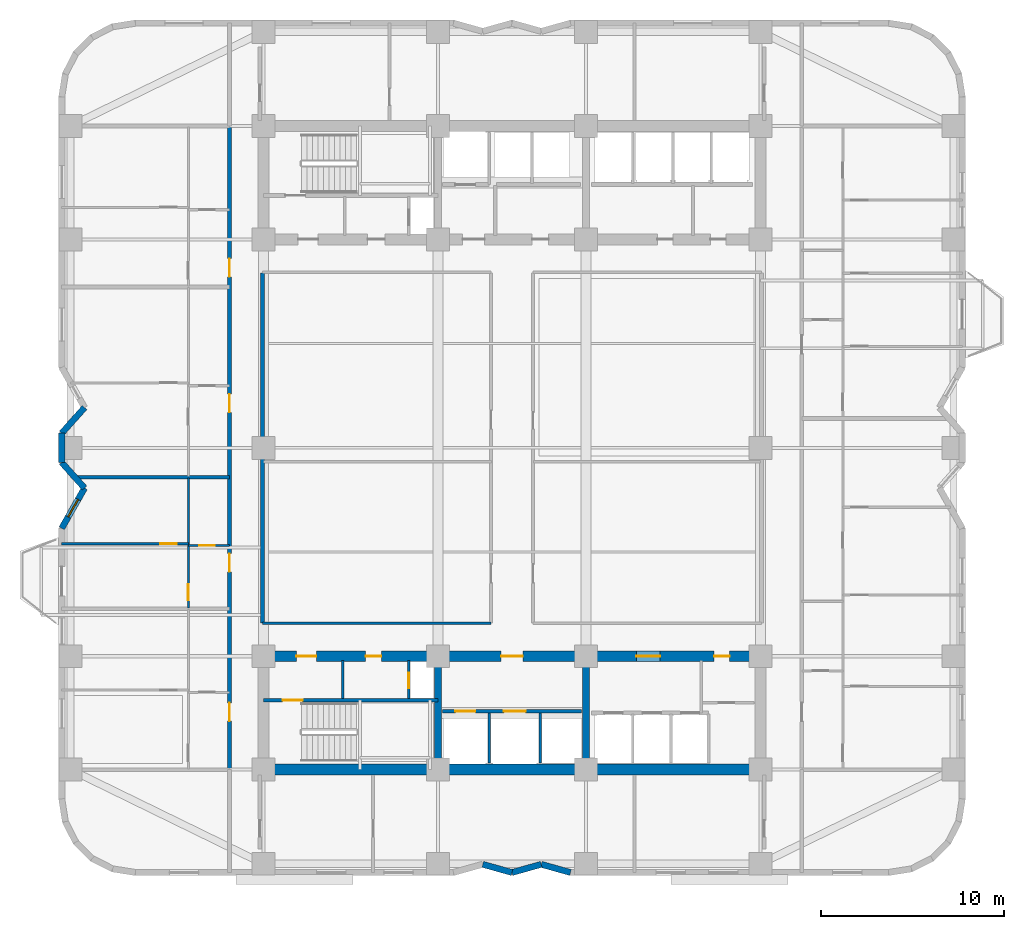
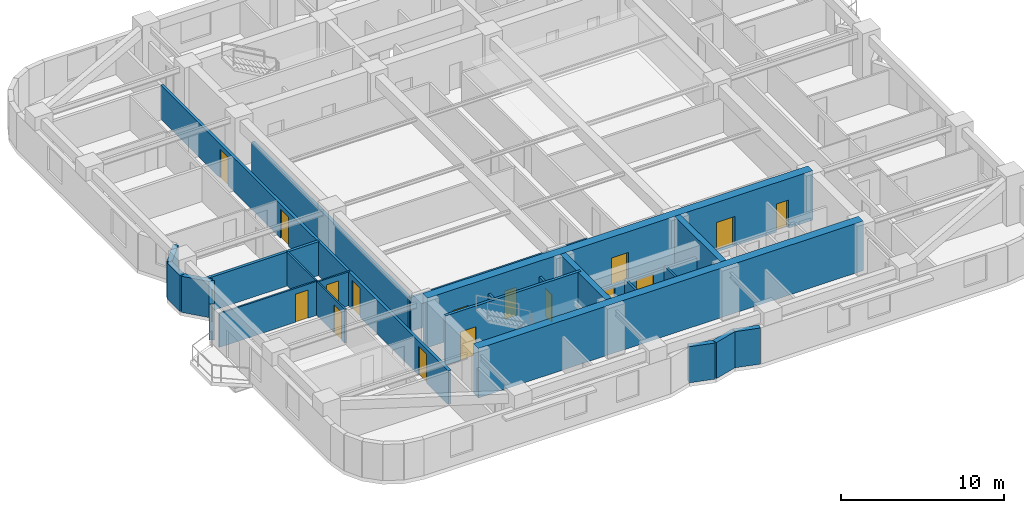
# One storey, part 3 of 9: 24 walls, 16 doors, 1 window, 17 openings.
"""IFC4 building model written with IfcOpenShell, lengths in metres."""

import ifcopenshell
import ifcopenshell.guid

model = None  # the IFC model being written
_history = None  # IfcOwnerHistory: only IFC2X3 demands one
_inside = {}  # id of a spatial element -> (the spatial element, [elements in it])
_under = {}  # id of a project, library or spatial element -> (it, [spatial elements below it])
_declared = {}  # id of a project -> (the project, [libraries it declares])
_typed = {}  # id of a type object -> (the type object, [elements of that type])
_made_of = {}  # id of a material, layer set ... -> (it, [elements and type objects made of it])


def new_model(schema):
    """Start an empty IFC model of exactly this schema.

    Asked for "IFC4X3", IfcOpenShell would pick the latest addendum, in which some entities
    have other attributes; the version numbers below select the first issue.
    IFC2X3 requires an IfcOwnerHistory on every rooted entity: one is made here for all.
    """
    global model, _history
    if schema == "IFC4X3":
        model = ifcopenshell.file(schema_version=(4, 3, 0, 0))
    else:
        model = ifcopenshell.file(schema=schema)
    _inside.clear()
    _under.clear()
    _declared.clear()
    _typed.clear()
    _made_of.clear()
    _history = None
    if model.schema == "IFC2X3":
        org = make("IfcOrganization", Name="unknown")
        user = make(
            "IfcPersonAndOrganization",
            ThePerson=make("IfcPerson", FamilyName="unknown"),
            TheOrganization=org,
        )
        app = make(
            "IfcApplication",
            ApplicationDeveloper=org,
            Version="unknown",
            ApplicationFullName="unknown",
            ApplicationIdentifier="unknown",
        )
        _history = make(
            "IfcOwnerHistory",
            OwningUser=user,
            OwningApplication=app,
            ChangeAction="ADDED",
            CreationDate=0,
        )
    return model


def make(cls, **values):
    """One entity of the class cls with the attributes given. An attribute that is None is left unset."""
    return model.create_entity(
        cls, **{name: value for name, value in values.items() if value is not None}
    )


def rooted(cls, **values):
    """An entity with a GlobalId (a new one), such as an element, a storey or a relation."""
    return make(cls, GlobalId=ifcopenshell.guid.new(), OwnerHistory=_history, **values)


def si_unit(unit_type, name, prefix=None):
    """IfcSIUnit, for example si_unit("LENGTHUNIT", "METRE", prefix="MILLI")."""
    return make("IfcSIUnit", UnitType=unit_type, Prefix=prefix, Name=name)


def assignment(units):
    """IfcUnitAssignment: the units of a project."""
    return None if units is None else make("IfcUnitAssignment", Units=units)


def point(xyz):
    """IfcCartesianPoint."""
    return None if xyz is None else make("IfcCartesianPoint", Coordinates=xyz)


def direction(xyz):
    """IfcDirection."""
    return None if xyz is None else make("IfcDirection", DirectionRatios=xyz)


def frame(location, z_axis=None, x_axis=None):
    """IfcAxis2Placement3D, a coordinate frame: its origin and axes. An axis left out is left unset."""
    return make(
        "IfcAxis2Placement3D",
        Location=point(location),
        Axis=direction(z_axis),
        RefDirection=direction(x_axis),
    )


def frame_2d(location, x_axis=None):
    """IfcAxis2Placement2D, a coordinate frame in the plane: its origin and x axis."""
    return make(
        "IfcAxis2Placement2D", Location=point(location), RefDirection=direction(x_axis)
    )


def origin():
    """The frame at (0, 0, 0) with its axes left unset."""
    return frame((0.0, 0.0, 0.0))


def place(relative_to, where):
    """IfcLocalPlacement: puts the frame where relative to a parent placement (None: the world)."""
    return make(
        "IfcLocalPlacement", PlacementRelTo=relative_to, RelativePlacement=where
    )


def context(
    kind, dimensions, precision=None, world=None, true_north=None, identifier=None
):
    """IfcGeometricRepresentationContext, for example the 3D "Model" context."""
    return make(
        "IfcGeometricRepresentationContext",
        ContextIdentifier=identifier,
        ContextType=kind,
        CoordinateSpaceDimension=dimensions,
        Precision=precision,
        WorldCoordinateSystem=world,
        TrueNorth=true_north,
    )


def subcontext(parent, identifier, kind, view, scale=None):
    """IfcGeometricRepresentationSubContext, for example "Body" below "Model"."""
    return make(
        "IfcGeometricRepresentationSubContext",
        ContextIdentifier=identifier,
        ContextType=kind,
        ParentContext=parent,
        TargetScale=scale,
        TargetView=view,
    )


def project(units=None, contexts=None):
    """IfcProject with its units and contexts."""
    return rooted(
        "IfcProject",
        Name="project",
        RepresentationContexts=contexts,
        UnitsInContext=assignment(units),
    )


def spatial(cls, under=None, at=None, **own):
    """A site, building, storey or space (cls), placed at a placement, below another one or the project."""
    s = rooted(cls, ObjectPlacement=at, **own)
    if under is not None:
        _under.setdefault(under.id(), (under, []))[1].append(s)
    return s


def profile(cls, at=None, kind="AREA", **sizes):
    """A parametric profile (cls). Its sizes go by their IFC names, for example OverallWidth=200.0."""
    return make(cls, ProfileType=kind, Position=at, **sizes)


def rectangle(**sizes):
    """IfcRectangleProfileDef."""
    return profile("IfcRectangleProfileDef", **sizes)


def extrude(swept, where, along, depth):
    """IfcExtrudedAreaSolid: the profile swept, set in the frame where, extruded along a direction by depth."""
    return make(
        "IfcExtrudedAreaSolid",
        SweptArea=swept,
        Position=where,
        ExtrudedDirection=direction(along),
        Depth=depth,
    )


def shape(context_of_items, identifier, shape_type, items):
    """IfcShapeRepresentation: the items that make up one representation, for example the "Body"."""
    return make(
        "IfcShapeRepresentation",
        ContextOfItems=context_of_items,
        RepresentationIdentifier=identifier,
        RepresentationType=shape_type,
        Items=items,
    )


def material(Name=None, Category=None):
    """IfcMaterial."""
    return make("IfcMaterial", Name=Name, Category=Category)


def layer(
    of_material, thickness, ventilated=None, Name=None, Category=None, Priority=None
):
    """IfcMaterialLayer: one layer of a wall or slab, of a material (None: an air gap)."""
    return make(
        "IfcMaterialLayer",
        Material=of_material,
        LayerThickness=thickness,
        IsVentilated=ventilated,
        Name=Name,
        Category=Category,
        Priority=Priority,
    )


def layer_set(layers, Name=None):
    """IfcMaterialLayerSet."""
    return make("IfcMaterialLayerSet", MaterialLayers=layers, LayerSetName=Name)


def made_of(thing, what):
    """Note that an element or type object is made of a material, layer set ...; save() writes the relation."""
    if what is not None:
        _made_of.setdefault(what.id(), (what, []))[1].append(thing)
    return thing


def type_object(cls, material=None, **own):
    """A type object (cls), such as IfcWallType, which elements share."""
    return made_of(rooted(cls, **own), material)


def element(
    cls,
    number,
    at=None,
    inside=None,
    cuts=None,
    type_object=None,
    material=None,
    context=None,
    identifier="Body",
    shape_type=None,
    held_by="IfcProductDefinitionShape",
    body=None,
    shapes=None,
    **own,
):
    """One element of the class cls, such as IfcWall. Its Tag is "e" and its number.

    at: its placement. inside: the storey or other place that contains it. cuts: it is an
    opening in that element (IfcRelVoidsElement). A single representation is given by context,
    identifier, shape_type and body (its items); several are given by shapes. held_by: the class
    of the entity that holds the representations. save() writes the other relations.
    """
    e = rooted(cls, Tag="e%d" % number, ObjectPlacement=at, **own)
    if body is not None:
        shapes = [shape(context, identifier, shape_type, body)]
    if shapes is not None:
        e.Representation = make(held_by, Representations=shapes)
    if inside is not None:
        _inside.setdefault(inside.id(), (inside, []))[1].append(e)
    if cuts is not None:
        rooted(
            "IfcRelVoidsElement", RelatingBuildingElement=cuts, RelatedOpeningElement=e
        )
    if type_object is not None:
        _typed.setdefault(type_object.id(), (type_object, []))[1].append(e)
    return made_of(e, material)


def fill(opening, filler):
    """IfcRelFillsElement: the door or window that sits in an opening."""
    return rooted(
        "IfcRelFillsElement",
        RelatingOpeningElement=opening,
        RelatedBuildingElement=filler,
    )


def aggregate(whole, parts):
    """IfcRelAggregates: a whole, such as a stair, and the parts it consists of."""
    return rooted("IfcRelAggregates", RelatingObject=whole, RelatedObjects=parts)


def save(model, path):
    """Write the relations noted so far, then the file.

    IfcRelAggregates (storeys below a building ...), IfcRelContainedInSpatialStructure (elements
    in a storey), IfcRelDefinesByType, IfcRelAssociatesMaterial and IfcRelDeclares: one each for
    every whole, place, type object, material and project.
    """
    for whole, parts in _under.values():
        aggregate(whole, parts)
    for where, things in _inside.values():
        rooted(
            "IfcRelContainedInSpatialStructure",
            RelatedElements=things,
            RelatingStructure=where,
        )
    for kind, things in _typed.values():
        rooted("IfcRelDefinesByType", RelatedObjects=things, RelatingType=kind)
    for what, things in _made_of.values():
        rooted("IfcRelAssociatesMaterial", RelatedObjects=things, RelatingMaterial=what)
    for by, libraries in _declared.values():
        rooted("IfcRelDeclares", RelatingContext=by, RelatedDefinitions=libraries)
    model.write(path)


model = new_model("IFC4")

# Units and contexts
model_context = context("Model", 3, precision=1e-05, world=origin(), true_north=direction((0.0, 1.0)))
body_context = subcontext(model_context, "Body", "Model", "MODEL_VIEW")
ifc_project = project(units=[si_unit("LENGTHUNIT", "METRE"), si_unit("AREAUNIT", "SQUARE_METRE"), si_unit("VOLUMEUNIT", "CUBIC_METRE"), si_unit("PLANEANGLEUNIT", "RADIAN"), si_unit("MASSUNIT", "GRAM", prefix="KILO")], contexts=[model_context])

# Site, building, storey
site_placement = place(None, origin())
site = spatial("IfcSite", under=ifc_project, at=site_placement, CompositionType="ELEMENT")
building_placement = place(site_placement, origin())
building = spatial("IfcBuilding", under=site, at=building_placement, Name="Svetorya Sky Lyceum", CompositionType="ELEMENT")
storey_placement = place(building_placement, frame((0.0, 0.0, 47.300048828125)))
storey = spatial("IfcBuildingStorey", under=building, at=storey_placement, Name="L11", CompositionType="ELEMENT", Elevation=47.300048828125)

# Walls
ifc_material_1 = material(Name="Concrete C40/50", Category="concrete")
ifc_layer_1 = layer(ifc_material_1, 0.39990234375)
ifc_layer_set_1 = layer_set([ifc_layer_1], Name="Concrete C40/50")
wall_type_1 = type_object("IfcWallType", Name="WL-CORE-400", PredefinedType="SHEAR", material=ifc_layer_set_1)
for number, where, z_axis, x_axis, name in (
    (1, (35.14990234375, 10.89990234375, 0.0), (0.0, 0.0, 1.0), (0.0, 1.0, 0.0), "L11 SC Internal Shear Web WEB1"),
    (2, (43.25, 10.89990234375, 0.0), (0.0, 0.0, 1.0), (0.0, 1.0, 0.0), "L11 SC Internal Shear Web WEB2"),
):
    element("IfcWall", number, at=place(storey_placement, frame(where, z_axis=z_axis, x_axis=x_axis)), inside=storey, type_object=wall_type_1, Name=name, PredefinedType="SHEAR", context=body_context, shape_type="SweptSolid", body=[
        extrude(rectangle(XDim=5.60009765625, YDim=0.39990234375, at=frame_2d((2.800048828125, 0.0))), origin(), (0.0, 0.0, 1.0), 3.699951171875),
    ])
ifc_material_2 = material(Name="Concrete C60/75", Category="concrete")
ifc_layer_2 = layer(ifc_material_2, 0.60009765625)
ifc_layer_set_2 = layer_set([ifc_layer_2], Name="Concrete C60/75")
wall_type_2 = type_object("IfcWallType", Name="WL-CORE-600", PredefinedType="SHEAR", material=ifc_layer_set_2)
wall_1_placement = place(storey_placement, frame((52.800048828125, 10.60009765625, 0.0), z_axis=(0.0, 0.0, 1.0), x_axis=(-1.0, 0.0, 0.0)))
element("IfcWall", 3, at=wall_1_placement, inside=storey, type_object=wall_type_2, Name="L11 SC Outer Core Shear Wall", PredefinedType="SHEAR", context=body_context, shape_type="SweptSolid", body=[
    extrude(rectangle(XDim=27.199951171875, YDim=0.60009765625, at=frame_2d((13.60009765625, 0.0))), origin(), (0.0, 0.0, 1.0), 3.699951171875),
])

# Wall, openings, doors
wall_2_placement = place(storey_placement, frame((25.60009765625, 16.800048828125, 0.0), z_axis=(0.0, 0.0, 1.0), x_axis=(1.0, 0.0, 0.0)))
wall_2 = element("IfcWall", 4, at=wall_2_placement, inside=storey, type_object=wall_type_2, Name="L11 SC Inner Core Shear Wall", PredefinedType="SHEAR", context=body_context, shape_type="SweptSolid", body=[
    extrude(rectangle(XDim=27.199951171875, YDim=0.60009765625, at=frame_2d((13.60009765625, 0.0))), origin(), (0.0, 0.0, 1.0), 3.699951171875),
])
opening_1_placement = place(wall_2_placement, frame((1.800048828125, 0.0, 0.0)))
opening_1 = element("IfcOpeningElement", 5, at=opening_1_placement, cuts=wall_2, Name="Opening D-ST1", PredefinedType="OPENING", context=body_context, shape_type="SweptSolid", body=[
    extrude(rectangle(XDim=1.10009765625, YDim=2.14990234375, at=frame_2d((0.550048828125, 1.074951171875))), frame((0.0, 0.31005859375, 0.0), z_axis=(0.0, -1.0, 0.0), x_axis=(1.0, 0.0, 0.0)), (0.0, 0.0, 1.0), 0.6201171875),
])
opening_2_placement = place(wall_2_placement, frame((5.60009765625, 0.0, 0.0)))
opening_2 = element("IfcOpeningElement", 6, at=opening_2_placement, cuts=wall_2, Name="Opening D-CWC1", PredefinedType="OPENING", context=body_context, shape_type="SweptSolid", body=[
    extrude(rectangle(XDim=0.85009765625, YDim=2.10009765625, at=frame_2d((0.425048828125, 1.050048828125))), frame((0.0, 0.31005859375, 0.0), z_axis=(0.0, -1.0, 0.0), x_axis=(1.0, 0.0, 0.0)), (0.0, 0.0, 1.0), 0.6201171875),
])
opening_3_placement = place(wall_2_placement, frame((13.0, 0.0, 0.0)))
opening_3 = element("IfcOpeningElement", 7, at=opening_3_placement, cuts=wall_2, Name="Opening D-FL1", PredefinedType="OPENING", context=body_context, shape_type="SweptSolid", body=[
    extrude(rectangle(XDim=1.199951171875, YDim=2.14990234375, at=frame_2d((0.60009765625, 1.074951171875))), frame((0.0, 0.31005859375, 0.0), z_axis=(0.0, -1.0, 0.0), x_axis=(1.0, 0.0, 0.0)), (0.0, 0.0, 1.0), 0.6201171875),
])
opening_4_placement = place(wall_2_placement, frame((20.39990234375, 0.0, 0.0)))
opening_4 = element("IfcOpeningElement", 8, at=opening_4_placement, cuts=wall_2, Name="Opening D-LB1", PredefinedType="OPENING", context=body_context, shape_type="SweptSolid", body=[
    extrude(rectangle(XDim=1.300048828125, YDim=2.199951171875, at=frame_2d((0.64990234375, 1.10009765625))), frame((0.0, 0.31005859375, 0.0), z_axis=(0.0, -1.0, 0.0), x_axis=(1.0, 0.0, 0.0)), (0.0, 0.0, 1.0), 0.6201171875),
])
opening_5_placement = place(wall_2_placement, frame((24.64990234375, 0.0, 0.0)))
opening_5 = element("IfcOpeningElement", 9, at=opening_5_placement, cuts=wall_2, Name="Opening D-CWC1", PredefinedType="OPENING", context=body_context, shape_type="SweptSolid", body=[
    extrude(rectangle(XDim=0.85009765625, YDim=2.10009765625, at=frame_2d((0.425048828125, 1.050048828125))), frame((0.0, 0.31005859375, 0.0), z_axis=(0.0, -1.0, 0.0), x_axis=(1.0, 0.0, 0.0)), (0.0, 0.0, 1.0), 0.6201171875),
])
ifc_material_3 = material(Name="Fire-rated galvanized steel core service closet door", Category="steel")
door_type_1 = type_object("IfcDoorType", Name="DR-CWET-850", OperationType="SINGLE_SWING_LEFT", PredefinedType="DOOR", material=ifc_material_3)
door_1_placement = place(opening_2_placement, origin())
door_1 = element("IfcDoor", 10, at=door_1_placement, inside=storey, type_object=door_type_1, Name="L11 South Hydrant Room Door", OperationType="SINGLE_SWING_LEFT", OverallHeight=2.10009765625, OverallWidth=0.85009765625, PredefinedType="DOOR", context=body_context, shape_type="SweptSolid", body=[
    extrude(rectangle(XDim=0.85009765625, YDim=2.10009765625, at=frame_2d((0.425048828125, 1.050048828125))), frame((0.0, 0.02490234375, 0.0), z_axis=(0.0, -1.0, 0.0), x_axis=(1.0, 0.0, 0.0)), (0.0, 0.0, 1.0), 0.050048828125),
])
fill(opening_2, door_1)
door_2_placement = place(opening_5_placement, origin())
door_2 = element("IfcDoor", 11, at=door_2_placement, inside=storey, type_object=door_type_1, Name="L11 South Core Auxiliary Door", OperationType="SINGLE_SWING_LEFT", OverallHeight=2.10009765625, OverallWidth=0.85009765625, PredefinedType="DOOR", context=body_context, shape_type="SweptSolid", body=[
    extrude(rectangle(XDim=0.85009765625, YDim=2.10009765625, at=frame_2d((0.425048828125, 1.050048828125))), frame((0.0, 0.02490234375, 0.0), z_axis=(0.0, -1.0, 0.0), x_axis=(1.0, 0.0, 0.0)), (0.0, 0.0, 1.0), 0.050048828125),
])
fill(opening_5, door_2)
ifc_material_4 = material(Name="Powder-coated insulated galvanized stair fire door")
door_type_2 = type_object("IfcDoorType", Name="DR-FIRE-1100", OperationType="SINGLE_SWING_LEFT", PredefinedType="DOOR", material=ifc_material_4)
door_3_placement = place(opening_1_placement, origin())
door_3 = element("IfcDoor", 12, at=door_3_placement, inside=storey, type_object=door_type_2, Name="L11 South Stair Airlock Door", OperationType="SINGLE_SWING_RIGHT", OverallHeight=2.14990234375, OverallWidth=1.10009765625, PredefinedType="DOOR", context=body_context, shape_type="SweptSolid", body=[
    extrude(rectangle(XDim=1.10009765625, YDim=2.14990234375, at=frame_2d((0.550048828125, 1.074951171875))), frame((0.0, 0.02490234375, 0.0), z_axis=(0.0, -1.0, 0.0), x_axis=(1.0, 0.0, 0.0)), (0.0, 0.0, 1.0), 0.050048828125),
])
fill(opening_1, door_3)
ifc_material_5 = material(Name="Powder-coated insulated galvanized fire door")
door_type_3 = type_object("IfcDoorType", Name="DR-FIRE-1200", OperationType="SINGLE_SWING_LEFT", PredefinedType="DOOR", material=ifc_material_5)
door_4_placement = place(opening_3_placement, origin())
door_4 = element("IfcDoor", 13, at=door_4_placement, inside=storey, type_object=door_type_3, Name="L11 South Firefighting Lift Lobby Door", OperationType="SINGLE_SWING_LEFT", OverallHeight=2.14990234375, OverallWidth=1.199951171875, PredefinedType="DOOR", context=body_context, shape_type="SweptSolid", body=[
    extrude(rectangle(XDim=1.199951171875, YDim=2.14990234375, at=frame_2d((0.60009765625, 1.074951171875))), frame((0.0, 0.02490234375, 0.0), z_axis=(0.0, -1.0, 0.0), x_axis=(1.0, 0.0, 0.0)), (0.0, 0.0, 1.0), 0.050048828125),
])
fill(opening_3, door_4)
ifc_material_6 = material(Name="Glazed fire-rated aluminium lobby door", Category="aluminium")
door_type_4 = type_object("IfcDoorType", Name="DR-LOB-1300", OperationType="SINGLE_SWING_LEFT", PredefinedType="DOOR", material=ifc_material_6)
door_5_placement = place(opening_4_placement, origin())
door_5 = element("IfcDoor", 14, at=door_5_placement, inside=storey, type_object=door_type_4, Name="L11 Low-Rise Lift Lobby Door", OperationType="SINGLE_SWING_RIGHT", OverallHeight=2.199951171875, OverallWidth=1.300048828125, PredefinedType="DOOR", context=body_context, shape_type="SweptSolid", body=[
    extrude(rectangle(XDim=1.300048828125, YDim=2.199951171875, at=frame_2d((0.64990234375, 1.10009765625))), frame((0.0, 0.02490234375, 0.0), z_axis=(0.0, -1.0, 0.0), x_axis=(1.0, 0.0, 0.0)), (0.0, 0.0, 1.0), 0.050048828125),
])
fill(opening_4, door_5)

# Walls
ifc_material_7 = material(Name="Putilovo limestone rainscreen on autoclaved cellular masonry", Category="masonry")
ifc_layer_3 = layer(ifc_material_7, 0.340087890625)
ifc_layer_set_3 = layer_set([ifc_layer_3], Name="Putilovo limestone rainscreen on autoclaved cellular masonry")
wall_type_3 = type_object("IfcWallType", Name="WL-EXT-340", PredefinedType="SOLIDWALL", material=ifc_layer_set_3)
wall_3_placement = place(storey_placement, frame((37.60009765625, 5.419921875, 0.0), z_axis=(0.0, 0.0, 1.0), x_axis=(0.962652136636, -0.270741322725, 0.0)))
element("IfcWall", 15, at=wall_3_placement, inside=storey, type_object=wall_type_3, Name="L11 Limestone Exterior Wall 8M", PredefinedType="SOLIDWALL", context=body_context, shape_type="SweptSolid", body=[
    extrude(rectangle(XDim=1.661865234375, YDim=0.340087890625, at=frame_2d((0.8310546875, 0.0))), origin(), (0.0, 0.0, 1.0), 2.699951171875),
])
wall_4_placement = place(storey_placement, frame((39.199951171875, 4.969970703125, 0.0), z_axis=(0.0, 0.0, 1.0), x_axis=(0.962662902433, 0.270703040766, 0.0)))
element("IfcWall", 16, at=wall_4_placement, inside=storey, type_object=wall_type_3, Name="L11 Limestone Exterior Wall 9M", PredefinedType="SOLIDWALL", context=body_context, shape_type="SweptSolid", body=[
    extrude(rectangle(XDim=1.662109375, YDim=0.340087890625, at=frame_2d((0.8310546875, 0.0))), origin(), (0.0, 0.0, 1.0), 2.699951171875),
])
wall_5_placement = place(storey_placement, frame((40.800048828125, 5.419921875, 0.0), z_axis=(0.0, 0.0, 1.0), x_axis=(0.962652136636, -0.270741322725, 0.0)))
element("IfcWall", 17, at=wall_5_placement, inside=storey, type_object=wall_type_3, Name="L11 Limestone Exterior Wall 10M", PredefinedType="SOLIDWALL", context=body_context, shape_type="SweptSolid", body=[
    extrude(rectangle(XDim=1.661865234375, YDim=0.340087890625, at=frame_2d((0.8310546875, 0.0))), origin(), (0.0, 0.0, 1.0), 2.699951171875),
])
wall_6_placement = place(storey_placement, frame((15.820068359375, 30.39990234375, 0.0), z_axis=(0.0, 0.0, 1.0), x_axis=(-0.666041619974, -0.74591457987, 0.0)))
element("IfcWall", 18, at=wall_6_placement, inside=storey, type_object=wall_type_3, Name="L11 Limestone Exterior Wall 42M", PredefinedType="SOLIDWALL", context=body_context, shape_type="SweptSolid", body=[
    extrude(rectangle(XDim=1.876708984375, YDim=0.340087890625, at=frame_2d((0.9384765625, 0.0))), origin(), (0.0, 0.0, 1.0), 2.699951171875),
])
wall_7_placement = place(storey_placement, frame((14.570068359375, 29.0, 0.0), z_axis=(0.0, 0.0, 1.0), x_axis=(0.0, -1.0, 0.0)))
element("IfcWall", 19, at=wall_7_placement, inside=storey, type_object=wall_type_3, Name="L11 Limestone Exterior Wall 43M", PredefinedType="SOLIDWALL", context=body_context, shape_type="SweptSolid", body=[
    extrude(rectangle(XDim=1.60009765625, YDim=0.340087890625, at=frame_2d((0.800048828125, 0.0))), origin(), (0.0, 0.0, 1.0), 2.699951171875),
])
wall_8_placement = place(storey_placement, frame((14.570068359375, 27.39990234375, 0.0), z_axis=(0.0, 0.0, 1.0), x_axis=(0.666041619974, -0.74591457987, 0.0)))
element("IfcWall", 20, at=wall_8_placement, inside=storey, type_object=wall_type_3, Name="L11 Limestone Exterior Wall 44M", PredefinedType="SOLIDWALL", context=body_context, shape_type="SweptSolid", body=[
    extrude(rectangle(XDim=1.876708984375, YDim=0.340087890625, at=frame_2d((0.9384765625, 0.0))), origin(), (0.0, 0.0, 1.0), 2.699951171875),
])

# Wall, opening, window
wall_9_placement = place(storey_placement, frame((15.820068359375, 26.0, 0.0), z_axis=(0.0, 0.0, 1.0), x_axis=(-0.494017696272, -0.869451847873, 0.0)))
wall_9 = element("IfcWall", 21, at=wall_9_placement, inside=storey, type_object=wall_type_3, Name="L11 Limestone Exterior Wall 45M", PredefinedType="SOLIDWALL", context=body_context, shape_type="SweptSolid", body=[
    extrude(rectangle(XDim=2.5302734375, YDim=0.340087890625, at=frame_2d((1.26513671875, 0.0))), origin(), (0.0, 0.0, 1.0), 2.699951171875),
])
opening_6_placement = place(wall_9_placement, frame((0.715087890625, 0.0, 0.889892578125)))
opening_6 = element("IfcOpeningElement", 22, at=opening_6_placement, cuts=wall_9, Name="Opening W-R3", PredefinedType="OPENING", context=body_context, shape_type="SweptSolid", body=[
    extrude(rectangle(XDim=1.10009765625, YDim=1.64990234375, at=frame_2d((0.550048828125, 0.824951171875))), frame((0.0, 0.179931640625, 0.0), z_axis=(0.0, -1.0, 0.0), x_axis=(1.0, 0.0, 0.0)), (0.0, 0.0, 1.0), 0.360107421875),
])
ifc_material_8 = material(Name="Thermally broken aluminium frame with triple low-E glazing", Category="aluminium")
window_type = type_object("IfcWindowType", Name="WN-RES-110", PartitioningType="SINGLE_PANEL", PredefinedType="WINDOW", material=ifc_material_8)
window_placement = place(opening_6_placement, origin())
window = element("IfcWindow", 23, at=window_placement, inside=storey, type_object=window_type, Name="L11 Facade Window W-R3.45M.1", OverallHeight=1.64990234375, OverallWidth=1.10009765625, PartitioningType="SINGLE_PANEL", PredefinedType="WINDOW", context=body_context, shape_type="SweptSolid", body=[
    extrude(rectangle(XDim=1.10009765625, YDim=1.64990234375, at=frame_2d((0.550048828125, 0.824951171875))), frame((0.0, 0.030029296875, 0.0), z_axis=(0.0, -1.0, 0.0), x_axis=(1.0, 0.0, 0.0)), (0.0, 0.0, 1.0), 0.06005859375),
])
fill(opening_6, window)

# Wall, opening, door
ifc_material_9 = material(Name="Twin-stud galvanized framing with double fireboard", Category="gypsum")
ifc_layer_4 = layer(ifc_material_9, 0.1201171875)
ifc_layer_set_4 = layer_set([ifc_layer_4], Name="Twin-stud galvanized framing with double fireboard")
wall_type_4 = type_object("IfcWallType", Name="WL-PART-120", PredefinedType="PARTITIONING", material=ifc_layer_set_4)
wall_10_placement = place(storey_placement, frame((21.5, 22.860107421875, 0.0), z_axis=(0.0, 0.0, 1.0), x_axis=(1.0, 0.0, 0.0)))
wall_10 = element("IfcWall", 24, at=wall_10_placement, inside=storey, type_object=wall_type_4, Name="L11 Interior Partition W2-WH1", PredefinedType="PARTITIONING", context=body_context, shape_type="SweptSolid", body=[
    extrude(rectangle(XDim=2.25, YDim=0.1201171875, at=frame_2d((1.125, 0.0))), origin(), (0.0, 0.0, 1.0), 2.530029296875),
])
opening_7_placement = place(wall_10_placement, frame((0.60009765625, 0.0, 0.0)))
opening_7 = element("IfcOpeningElement", 25, at=opening_7_placement, cuts=wall_10, Name="Opening D-BT1", PredefinedType="OPENING", context=body_context, shape_type="SweptSolid", body=[
    extrude(rectangle(XDim=0.85009765625, YDim=2.10009765625, at=frame_2d((0.425048828125, 1.050048828125))), frame((0.0, 0.070068359375, 0.0), z_axis=(0.0, -1.0, 0.0), x_axis=(1.0, 0.0, 0.0)), (0.0, 0.0, 1.0), 0.14013671875),
])
ifc_material_10 = material(Name="Moisture-resistant laminate bathroom door")
door_type_5 = type_object("IfcDoorType", Name="DR-WET-850", OperationType="SINGLE_SWING_LEFT", PredefinedType="DOOR", material=ifc_material_10)
door_6_placement = place(opening_7_placement, origin())
door_6 = element("IfcDoor", 26, at=door_6_placement, inside=storey, type_object=door_type_5, Name="Apartment W2 Bathroom Door", OperationType="SINGLE_SWING_RIGHT", OverallHeight=2.10009765625, OverallWidth=0.85009765625, PredefinedType="DOOR", context=body_context, shape_type="SweptSolid", body=[
    extrude(rectangle(XDim=0.85009765625, YDim=2.10009765625, at=frame_2d((0.425048828125, 1.050048828125))), frame((0.0, 0.02490234375, 0.0), z_axis=(0.0, -1.0, 0.0), x_axis=(1.0, 0.0, 0.0)), (0.0, 0.0, 1.0), 0.050048828125),
])
fill(opening_7, door_6)

wall_11_placement = place(storey_placement, frame((14.570068359375, 22.949951171875, 0.0), z_axis=(0.0, 0.0, 1.0), x_axis=(1.0, 0.0, 0.0)))
wall_11 = element("IfcWall", 27, at=wall_11_placement, inside=storey, type_object=wall_type_4, Name="L11 Interior Partition W2-WL1", PredefinedType="PARTITIONING", context=body_context, shape_type="SweptSolid", body=[
    extrude(rectangle(XDim=6.929931640625, YDim=0.1201171875, at=frame_2d((3.46484375, 0.0))), origin(), (0.0, 0.0, 1.0), 2.530029296875),
])
opening_8_placement = place(wall_11_placement, frame((5.3798828125, 0.0, 0.0)))
opening_8 = element("IfcOpeningElement", 28, at=opening_8_placement, cuts=wall_11, Name="Opening D-RM1", PredefinedType="OPENING", context=body_context, shape_type="SweptSolid", body=[
    extrude(rectangle(XDim=0.89990234375, YDim=2.10009765625, at=frame_2d((0.449951171875, 1.050048828125))), frame((0.0, 0.070068359375, 0.0), z_axis=(0.0, -1.0, 0.0), x_axis=(1.0, 0.0, 0.0)), (0.0, 0.0, 1.0), 0.14013671875),
])
ifc_material_11 = material(Name="Lacquered birch veneer internal door")
door_type_6 = type_object("IfcDoorType", Name="DR-INT-900", OperationType="SINGLE_SWING_LEFT", PredefinedType="DOOR", material=ifc_material_11)
door_7_placement = place(opening_8_placement, origin())
door_7 = element("IfcDoor", 29, at=door_7_placement, inside=storey, type_object=door_type_6, Name="Apartment W2 Bedroom 1 Door", OperationType="SINGLE_SWING_RIGHT", OverallHeight=2.10009765625, OverallWidth=0.89990234375, PredefinedType="DOOR", context=body_context, shape_type="SweptSolid", body=[
    extrude(rectangle(XDim=0.89990234375, YDim=2.10009765625, at=frame_2d((0.449951171875, 1.050048828125))), frame((0.0, 0.02490234375, 0.0), z_axis=(0.0, -1.0, 0.0), x_axis=(1.0, 0.0, 0.0)), (0.0, 0.0, 1.0), 0.050048828125),
])
fill(opening_8, door_7)

wall_12_placement = place(storey_placement, frame((21.5, 19.43994140625, 0.0), z_axis=(0.0, 0.0, 1.0), x_axis=(0.0, 1.0, 0.0)))
wall_12 = element("IfcWall", 30, at=wall_12_placement, inside=storey, type_object=wall_type_4, Name="L11 Interior Partition W2-WV", PredefinedType="PARTITIONING", context=body_context, shape_type="SweptSolid", body=[
    extrude(rectangle(XDim=7.1201171875, YDim=0.1201171875, at=frame_2d((3.56005859375, 0.0))), origin(), (0.0, 0.0, 1.0), 2.530029296875),
])
opening_9_placement = place(wall_12_placement, frame((0.409912109375, 0.0, 0.0)))
opening_9 = element("IfcOpeningElement", 31, at=opening_9_placement, cuts=wall_12, Name="Opening D-RM1", PredefinedType="OPENING", context=body_context, shape_type="SweptSolid", body=[
    extrude(rectangle(XDim=0.89990234375, YDim=2.10009765625, at=frame_2d((0.449951171875, 1.050048828125))), frame((0.0, 0.070068359375, 0.0), z_axis=(0.0, -1.0, 0.0), x_axis=(1.0, 0.0, 0.0)), (0.0, 0.0, 1.0), 0.14013671875),
])
door_8_placement = place(opening_9_placement, origin())
door_8 = element("IfcDoor", 32, at=door_8_placement, inside=storey, type_object=door_type_6, Name="Apartment W2 Living Door", OperationType="SINGLE_SWING_LEFT", OverallHeight=2.10009765625, OverallWidth=0.89990234375, PredefinedType="DOOR", context=body_context, shape_type="SweptSolid", body=[
    extrude(rectangle(XDim=0.89990234375, YDim=2.10009765625, at=frame_2d((0.449951171875, 1.050048828125))), frame((0.0, 0.02490234375, 0.0), z_axis=(0.0, -1.0, 0.0), x_axis=(1.0, 0.0, 0.0)), (0.0, 0.0, 1.0), 0.050048828125),
])
fill(opening_9, door_8)

# Wall
ifc_material_12 = material(Name="Autoclaved cellular masonry blockwork with acoustic render", Category="masonry")
ifc_layer_5 = layer(ifc_material_12, 0.14990234375)
ifc_layer_set_5 = layer_set([ifc_layer_5], Name="Autoclaved cellular masonry blockwork with acoustic render")
wall_type_5 = type_object("IfcWallType", Name="WL-PART-150", PredefinedType="PARTITIONING", material=ifc_layer_set_5)
wall_13_placement = place(storey_placement, frame((29.949951171875, 14.5, 0.0), z_axis=(0.0, 0.0, 1.0), x_axis=(0.0, 1.0, 0.0)))
element("IfcWall", 33, at=wall_13_placement, inside=storey, type_object=wall_type_5, Name="L11 Interior Partition SC-SWD1", PredefinedType="PARTITIONING", context=body_context, shape_type="SweptSolid", body=[
    extrude(rectangle(XDim=2.080078125, YDim=0.14990234375, at=frame_2d((1.0400390625, 0.0))), origin(), (0.0, 0.0, 1.0), 2.530029296875),
])

# Wall, opening, door
wall_14_placement = place(storey_placement, frame((33.550048828125, 14.5, 0.0), z_axis=(0.0, 0.0, 1.0), x_axis=(0.0, 1.0, 0.0)))
wall_14 = element("IfcWall", 34, at=wall_14_placement, inside=storey, type_object=wall_type_5, Name="L11 Interior Partition SC-SWD2", PredefinedType="PARTITIONING", context=body_context, shape_type="SweptSolid", body=[
    extrude(rectangle(XDim=2.080078125, YDim=0.14990234375, at=frame_2d((1.0400390625, 0.0))), origin(), (0.0, 0.0, 1.0), 2.530029296875),
])
opening_10_placement = place(wall_14_placement, frame((0.550048828125, 0.0, 0.0)))
opening_10 = element("IfcOpeningElement", 35, at=opening_10_placement, cuts=wall_14, Name="Opening D-SH1", PredefinedType="OPENING", context=body_context, shape_type="SweptSolid", body=[
    extrude(rectangle(XDim=0.85009765625, YDim=2.050048828125, at=frame_2d((0.425048828125, 1.02490234375))), frame((0.0, 0.0849609375, 0.0), z_axis=(0.0, -1.0, 0.0), x_axis=(1.0, 0.0, 0.0)), (0.0, 0.0, 1.0), 0.169921875),
])
ifc_material_13 = material(Name="Insulated galvanized riser inspection fire door")
door_type_7 = type_object("IfcDoorType", Name="DR-SHFT-850", OperationType="SINGLE_SWING_LEFT", PredefinedType="TRAPDOOR", material=ifc_material_13)
door_9_placement = place(opening_10_placement, origin())
door_9 = element("IfcDoor", 36, at=door_9_placement, inside=storey, type_object=door_type_7, Name="L11 South Riser Access Door", OperationType="SINGLE_SWING_RIGHT", OverallHeight=2.050048828125, OverallWidth=0.85009765625, PredefinedType="TRAPDOOR", context=body_context, shape_type="SweptSolid", body=[
    extrude(rectangle(XDim=0.85009765625, YDim=2.050048828125, at=frame_2d((0.425048828125, 1.02490234375))), frame((0.0, 0.02490234375, 0.0), z_axis=(0.0, -1.0, 0.0), x_axis=(1.0, 0.0, 0.0)), (0.0, 0.0, 1.0), 0.050048828125),
])
fill(opening_10, door_9)

# Walls
for number, where, z_axis, x_axis, name in (
    (37, (37.949951171875, 10.949951171875, 0.0), (0.0, 0.0, 1.0), (0.0, 1.0, 0.0), "L11 Interior Partition SC-SHD1"),
    (38, (40.75, 10.949951171875, 0.0), (0.0, 0.0, 1.0), (0.0, 1.0, 0.0), "L11 Interior Partition SC-SHD2"),
):
    element("IfcWall", number, at=place(storey_placement, frame(where, z_axis=z_axis, x_axis=x_axis)), inside=storey, type_object=wall_type_5, Name=name, PredefinedType="PARTITIONING", context=body_context, shape_type="SweptSolid", body=[
        extrude(rectangle(XDim=2.75, YDim=0.14990234375, at=frame_2d((1.375, 0.0))), origin(), (0.0, 0.0, 1.0), 2.530029296875),
    ])
wall_15_placement = place(storey_placement, frame((25.550048828125, 18.60009765625, 0.0), z_axis=(0.0, 0.0, 1.0), x_axis=(1.0, 0.0, 0.0)))
element("IfcWall", 39, at=wall_15_placement, inside=storey, type_object=wall_type_5, Name="L11 Interior Partition CS-MID-W", PredefinedType="PARTITIONING", context=body_context, shape_type="SweptSolid", body=[
    extrude(rectangle(XDim=12.5, YDim=0.14990234375, at=frame_2d((6.25, 0.0))), origin(), (0.0, 0.0, 1.0), 2.530029296875),
])

# Wall, openings, doors
ifc_material_14 = material(Name="Autoclaved cellular masonry blockwork with gypsum plaster", Category="masonry")
ifc_layer_6 = layer(ifc_material_14, 0.199951171875)
ifc_layer_set_6 = layer_set([ifc_layer_6], Name="Autoclaved cellular masonry blockwork with gypsum plaster")
wall_type_6 = type_object("IfcWallType", Name="WL-PART-200", PredefinedType="PARTITIONING", material=ifc_layer_set_6)
wall_16_placement = place(storey_placement, frame((35.39990234375, 13.800048828125, 0.0), z_axis=(0.0, 0.0, 1.0), x_axis=(1.0, 0.0, 0.0)))
wall_16 = element("IfcWall", 40, at=wall_16_placement, inside=storey, type_object=wall_type_6, Name="L11 Interior Partition SC-FLW", PredefinedType="PARTITIONING", context=body_context, shape_type="SweptSolid", body=[
    extrude(rectangle(XDim=7.60009765625, YDim=0.199951171875, at=frame_2d((3.800048828125, 0.0))), origin(), (0.0, 0.0, 1.0), 2.300048828125),
])
opening_11_placement = place(wall_16_placement, frame((0.699951171875, 0.0, 0.0)))
opening_11 = element("IfcOpeningElement", 41, at=opening_11_placement, cuts=wall_16, Name="Opening LD-FL", PredefinedType="OPENING", context=body_context, shape_type="SweptSolid", body=[
    extrude(rectangle(XDim=1.10009765625, YDim=2.14990234375, at=frame_2d((0.550048828125, 1.074951171875))), frame((0.0, 0.10986328125, 0.0), z_axis=(0.0, -1.0, 0.0), x_axis=(1.0, 0.0, 0.0)), (0.0, 0.0, 1.0), 0.219970703125),
])
opening_12_placement = place(wall_16_placement, frame((3.35009765625, 0.0, 0.0)))
opening_12 = element("IfcOpeningElement", 42, at=opening_12_placement, cuts=wall_16, Name="Opening LD-SV", PredefinedType="OPENING", context=body_context, shape_type="SweptSolid", body=[
    extrude(rectangle(XDim=1.199951171875, YDim=2.14990234375, at=frame_2d((0.60009765625, 1.074951171875))), frame((0.0, 0.10986328125, 0.0), z_axis=(0.0, -1.0, 0.0), x_axis=(1.0, 0.0, 0.0)), (0.0, 0.0, 1.0), 0.219970703125),
])
ifc_material_15 = material(Name="Fire-rated stainless AISI 304 firefighting lift landing door")
door_type_8 = type_object("IfcDoorType", Name="DR-LIFT-1100", OperationType="SLIDING_TO_LEFT", PredefinedType="DOOR", material=ifc_material_15)
door_10_placement = place(opening_11_placement, origin())
door_10 = element("IfcDoor", 43, at=door_10_placement, inside=storey, type_object=door_type_8, Name="L11 Firefighting Lift FL2 Landing Door", OperationType="SLIDING_TO_LEFT", OverallHeight=2.14990234375, OverallWidth=1.10009765625, PredefinedType="DOOR", context=body_context, shape_type="SweptSolid", body=[
    extrude(rectangle(XDim=1.10009765625, YDim=2.14990234375, at=frame_2d((0.550048828125, 1.074951171875))), frame((0.0, 0.02490234375, 0.0), z_axis=(0.0, -1.0, 0.0), x_axis=(1.0, 0.0, 0.0)), (0.0, 0.0, 1.0), 0.050048828125),
])
fill(opening_11, door_10)
ifc_material_16 = material(Name="Brushed stainless AISI 304 telescopic lift landing door")
door_type_9 = type_object("IfcDoorType", Name="DR-LIFT-1200", OperationType="SLIDING_TO_LEFT", PredefinedType="DOOR", material=ifc_material_16)
door_11_placement = place(opening_12_placement, origin())
door_11 = element("IfcDoor", 44, at=door_11_placement, inside=storey, type_object=door_type_9, Name="L11 Service Lift SVL1 Landing Door", OperationType="SLIDING_TO_LEFT", OverallHeight=2.14990234375, OverallWidth=1.199951171875, PredefinedType="DOOR", context=body_context, shape_type="SweptSolid", body=[
    extrude(rectangle(XDim=1.199951171875, YDim=2.14990234375, at=frame_2d((0.60009765625, 1.074951171875))), frame((0.0, 0.02490234375, 0.0), z_axis=(0.0, -1.0, 0.0), x_axis=(1.0, 0.0, 0.0)), (0.0, 0.0, 1.0), 0.050048828125),
])
fill(opening_12, door_11)

# Walls
wall_17_placement = place(storey_placement, frame((25.550048828125, 18.6298828125, 0.0), z_axis=(0.0, 0.0, 1.0), x_axis=(0.0, 1.0, 0.0)))
element("IfcWall", 45, at=wall_17_placement, inside=storey, type_object=wall_type_6, Name="L11 Interior Partition W-CEN-SEP", PredefinedType="PARTITIONING", context=body_context, shape_type="SweptSolid", body=[
    extrude(rectangle(XDim=19.14013671875, YDim=0.199951171875, at=frame_2d((9.570068359375, 0.0))), origin(), (0.0, 0.0, 1.0), 2.530029296875),
])
wall_18_placement = place(storey_placement, frame((15.2841796875, 26.60009765625, 0.0), z_axis=(0.0, 0.0, 1.0), x_axis=(1.0, 0.0, 0.0)))
element("IfcWall", 46, at=wall_18_placement, inside=storey, type_object=wall_type_6, Name="L11 Interior Partition W-PARTY-2", PredefinedType="PARTITIONING", context=body_context, shape_type="SweptSolid", body=[
    extrude(rectangle(XDim=8.4658203125, YDim=0.199951171875, at=frame_2d((4.23291015625, 0.0))), origin(), (0.0, 0.0, 1.0), 2.530029296875),
])

# Wall, openings, doors
wall_19_placement = place(storey_placement, frame((23.75, 10.60009765625, 0.0), z_axis=(0.0, 0.0, 1.0), x_axis=(0.0, 1.0, 0.0)))
wall_19 = element("IfcWall", 47, at=wall_19_placement, inside=storey, type_object=wall_type_6, Name="L11 Interior Partition W-CORRW", PredefinedType="PARTITIONING", context=body_context, shape_type="SweptSolid", body=[
    extrude(rectangle(XDim=35.199951171875, YDim=0.199951171875, at=frame_2d((17.60009765625, 0.0))), origin(), (0.0, 0.0, 1.0), 2.530029296875),
])
opening_13_placement = place(wall_19_placement, frame((2.64990234375, 0.0, 0.0)))
opening_13 = element("IfcOpeningElement", 48, at=opening_13_placement, cuts=wall_19, Name="Opening D-APT1", PredefinedType="OPENING", context=body_context, shape_type="SweptSolid", body=[
    extrude(rectangle(XDim=1.0, YDim=2.14990234375, at=frame_2d((0.5, 1.074951171875))), frame((0.0, 0.10986328125, 0.0), z_axis=(0.0, -1.0, 0.0), x_axis=(1.0, 0.0, 0.0)), (0.0, 0.0, 1.0), 0.219970703125),
])
opening_14_placement = place(wall_19_placement, frame((10.81005859375, 0.0, 0.0)))
opening_14 = element("IfcOpeningElement", 49, at=opening_14_placement, cuts=wall_19, Name="Opening D-APT1", PredefinedType="OPENING", context=body_context, shape_type="SweptSolid", body=[
    extrude(rectangle(XDim=1.0, YDim=2.14990234375, at=frame_2d((0.5, 1.074951171875))), frame((0.0, 0.10986328125, 0.0), z_axis=(0.0, -1.0, 0.0), x_axis=(1.0, 0.0, 0.0)), (0.0, 0.0, 1.0), 0.219970703125),
])
opening_15_placement = place(wall_19_placement, frame((19.5400390625, 0.0, 0.0)))
opening_15 = element("IfcOpeningElement", 50, at=opening_15_placement, cuts=wall_19, Name="Opening D-APT1", PredefinedType="OPENING", context=body_context, shape_type="SweptSolid", body=[
    extrude(rectangle(XDim=1.0, YDim=2.14990234375, at=frame_2d((0.5, 1.074951171875))), frame((0.0, 0.10986328125, 0.0), z_axis=(0.0, -1.0, 0.0), x_axis=(1.0, 0.0, 0.0)), (0.0, 0.0, 1.0), 0.219970703125),
])
opening_16_placement = place(wall_19_placement, frame((26.949951171875, 0.0, 0.0)))
opening_16 = element("IfcOpeningElement", 51, at=opening_16_placement, cuts=wall_19, Name="Opening D-APT1", PredefinedType="OPENING", context=body_context, shape_type="SweptSolid", body=[
    extrude(rectangle(XDim=1.0, YDim=2.14990234375, at=frame_2d((0.5, 1.074951171875))), frame((0.0, 0.10986328125, 0.0), z_axis=(0.0, -1.0, 0.0), x_axis=(1.0, 0.0, 0.0)), (0.0, 0.0, 1.0), 0.219970703125),
])
ifc_material_17 = material(Name="Insulated oak-veneered apartment entrance door")
door_type_10 = type_object("IfcDoorType", Name="DR-APT-1000", OperationType="SINGLE_SWING_LEFT", PredefinedType="DOOR", material=ifc_material_17)
door_12_placement = place(opening_13_placement, origin())
door_12 = element("IfcDoor", 52, at=door_12_placement, inside=storey, type_object=door_type_10, Name="L11 Apartment W1 Entrance Door", OperationType="SINGLE_SWING_LEFT", OverallHeight=2.14990234375, OverallWidth=1.0, PredefinedType="DOOR", context=body_context, shape_type="SweptSolid", body=[
    extrude(rectangle(XDim=1.0, YDim=2.14990234375, at=frame_2d((0.5, 1.074951171875))), frame((0.0, 0.02490234375, 0.0), z_axis=(0.0, -1.0, 0.0), x_axis=(1.0, 0.0, 0.0)), (0.0, 0.0, 1.0), 0.050048828125),
])
fill(opening_13, door_12)
door_13_placement = place(opening_14_placement, origin())
door_13 = element("IfcDoor", 53, at=door_13_placement, inside=storey, type_object=door_type_10, Name="L11 Apartment W2 Entrance Door", OperationType="SINGLE_SWING_RIGHT", OverallHeight=2.14990234375, OverallWidth=1.0, PredefinedType="DOOR", context=body_context, shape_type="SweptSolid", body=[
    extrude(rectangle(XDim=1.0, YDim=2.14990234375, at=frame_2d((0.5, 1.074951171875))), frame((0.0, 0.02490234375, 0.0), z_axis=(0.0, -1.0, 0.0), x_axis=(1.0, 0.0, 0.0)), (0.0, 0.0, 1.0), 0.050048828125),
])
fill(opening_14, door_13)
door_14_placement = place(opening_15_placement, origin())
door_14 = element("IfcDoor", 54, at=door_14_placement, inside=storey, type_object=door_type_10, Name="L11 Apartment W3 Entrance Door", OperationType="SINGLE_SWING_LEFT", OverallHeight=2.14990234375, OverallWidth=1.0, PredefinedType="DOOR", context=body_context, shape_type="SweptSolid", body=[
    extrude(rectangle(XDim=1.0, YDim=2.14990234375, at=frame_2d((0.5, 1.074951171875))), frame((0.0, 0.02490234375, 0.0), z_axis=(0.0, -1.0, 0.0), x_axis=(1.0, 0.0, 0.0)), (0.0, 0.0, 1.0), 0.050048828125),
])
fill(opening_15, door_14)
door_15_placement = place(opening_16_placement, origin())
door_15 = element("IfcDoor", 55, at=door_15_placement, inside=storey, type_object=door_type_10, Name="L11 Apartment W4 Entrance Door", OperationType="SINGLE_SWING_RIGHT", OverallHeight=2.14990234375, OverallWidth=1.0, PredefinedType="DOOR", context=body_context, shape_type="SweptSolid", body=[
    extrude(rectangle(XDim=1.0, YDim=2.14990234375, at=frame_2d((0.5, 1.074951171875))), frame((0.0, 0.02490234375, 0.0), z_axis=(0.0, -1.0, 0.0), x_axis=(1.0, 0.0, 0.0)), (0.0, 0.0, 1.0), 0.050048828125),
])
fill(opening_16, door_15)

# Wall, opening, door
ifc_material_18 = material(Name="Concrete C50/60", Category="concrete")
ifc_layer_7 = layer(ifc_material_18, 0.199951171875)
ifc_layer_set_7 = layer_set([ifc_layer_7], Name="Concrete C50/60")
wall_type_7 = type_object("IfcWallType", Name="WL-SHW-200", PredefinedType="SHEAR", material=ifc_layer_set_7)
wall_20_placement = place(storey_placement, frame((25.60009765625, 14.39990234375, 0.0), z_axis=(0.0, 0.0, 1.0), x_axis=(1.0, 0.0, 0.0)))
wall_20 = element("IfcWall", 56, at=wall_20_placement, inside=storey, type_object=wall_type_7, Name="L11 Structural Stair Shaft Wall SC-STW", PredefinedType="SHEAR", context=body_context, shape_type="SweptSolid", body=[
    extrude(rectangle(XDim=9.5498046875, YDim=0.199951171875, at=frame_2d((4.77490234375, 0.0))), origin(), (0.0, 0.0, 1.0), 3.699951171875),
])
opening_17_placement = place(wall_20_placement, frame((1.050048828125, 0.0, 0.0)))
opening_17 = element("IfcOpeningElement", 57, at=opening_17_placement, cuts=wall_20, Name="Opening D-ST1", PredefinedType="OPENING", context=body_context, shape_type="SweptSolid", body=[
    extrude(rectangle(XDim=1.10009765625, YDim=2.14990234375, at=frame_2d((0.550048828125, 1.074951171875))), frame((0.0, 0.10986328125, 0.0), z_axis=(0.0, -1.0, 0.0), x_axis=(1.0, 0.0, 0.0)), (0.0, 0.0, 1.0), 0.219970703125),
])
door_16_placement = place(opening_17_placement, origin())
door_16 = element("IfcDoor", 58, at=door_16_placement, inside=storey, type_object=door_type_2, Name="L11 Stair ST-S Vestibule Fire Door", OperationType="SINGLE_SWING_LEFT", OverallHeight=2.14990234375, OverallWidth=1.10009765625, PredefinedType="DOOR", context=body_context, shape_type="SweptSolid", body=[
    extrude(rectangle(XDim=1.10009765625, YDim=2.14990234375, at=frame_2d((0.550048828125, 1.074951171875))), frame((0.0, 0.02490234375, 0.0), z_axis=(0.0, -1.0, 0.0), x_axis=(1.0, 0.0, 0.0)), (0.0, 0.0, 1.0), 0.050048828125),
])
fill(opening_17, door_16)

save(model, "model.ifc")
